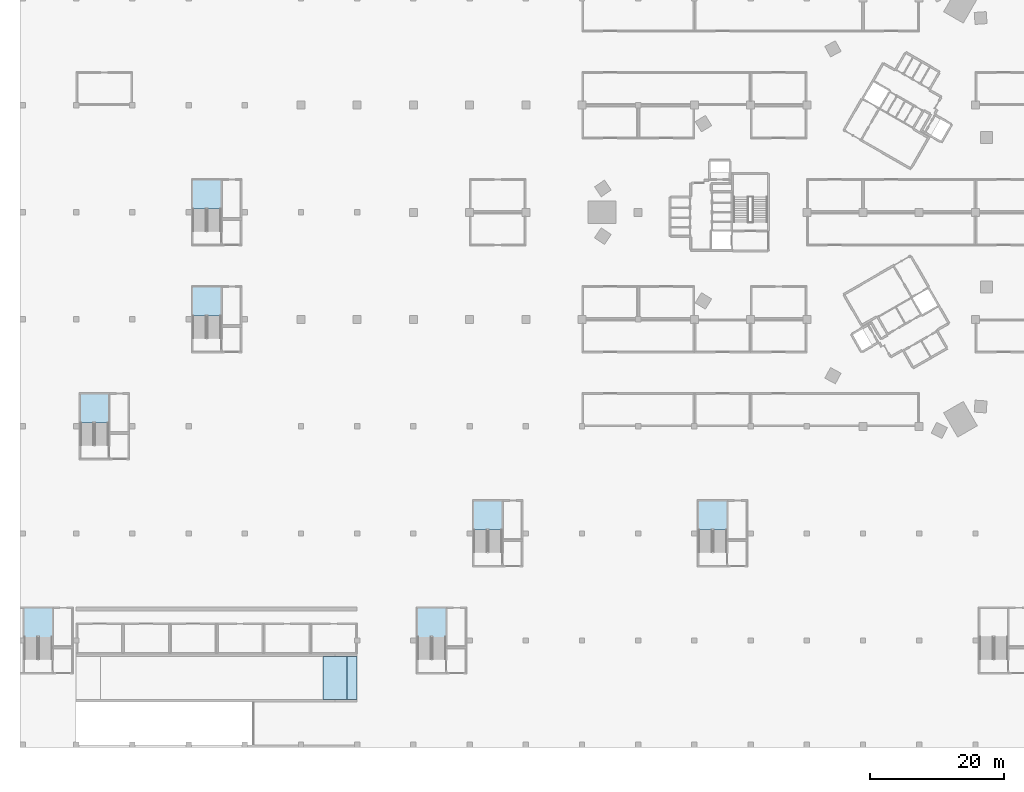
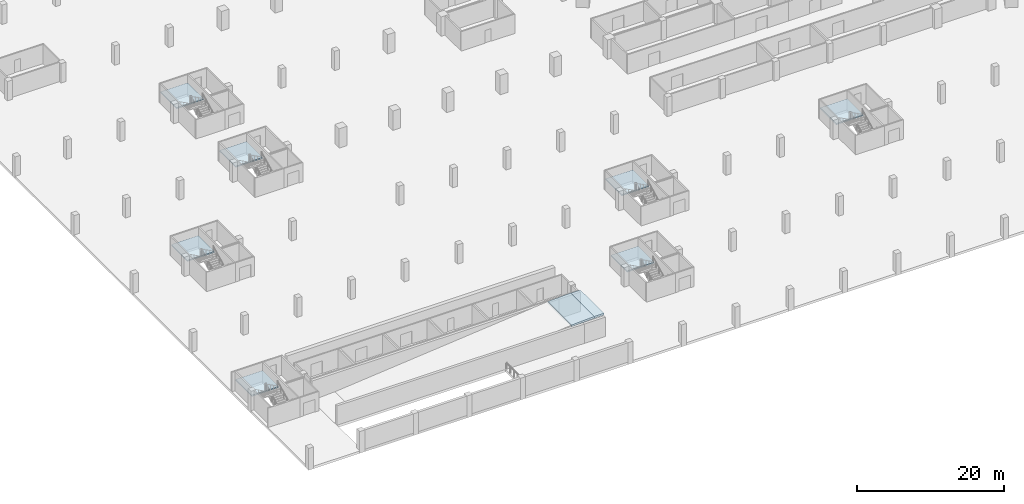
# One storey, part 2 of 37: 9 slabs, 7 elements without a shape of their own.
"""IFC4 building model written with IfcOpenShell, lengths in metres."""

from ifc_helpers import new_model, si_unit, direction, frame, origin, place, context, subcontext, project, spatial, polyline, outline, extrude, material, layer, layer_set, type_object, element, aggregate, save


model = new_model("IFC4")

# Units and contexts
model_context = context("Model", 3, precision=1e-05, world=origin(), true_north=direction((0.0, 1.0)))
body_context = subcontext(model_context, "Body", "Model", "MODEL_VIEW")
ifc_project = project(units=[si_unit("LENGTHUNIT", "METRE"), si_unit("AREAUNIT", "SQUARE_METRE"), si_unit("VOLUMEUNIT", "CUBIC_METRE"), si_unit("PLANEANGLEUNIT", "RADIAN"), si_unit("MASSUNIT", "GRAM", prefix="KILO")], contexts=[model_context])

# Site, building, storey
site_placement = place(None, origin())
site = spatial("IfcSite", under=ifc_project, at=site_placement, CompositionType="ELEMENT")
building_placement = place(site_placement, origin())
building = spatial("IfcBuilding", under=site, at=building_placement, Name="Tamra Quay Hotel Tower", CompositionType="ELEMENT")
storey_placement = place(building_placement, frame((0.0, 0.0, -7.199951171875)))
storey = spatial("IfcBuildingStorey", under=building, at=storey_placement, Name="B2", CompositionType="ELEMENT", Elevation=-7.199951171875)

# Stair, slab
ifc_material_1 = material(Name="Basement exit stair")
stair_type = type_object("IfcStairType", Name="Basement exit stair", PredefinedType="HALF_TURN_STAIR", material=ifc_material_1)
stair_1_placement = place(storey_placement, origin())
stair_1 = element("IfcStair", 1, at=stair_1_placement, inside=storey, type_object=stair_type, Name="B2 Basement Exit Stair BS1", PredefinedType="HALF_TURN_STAIR")
ifc_material_2 = material(Name="Concrete M60", Category="concrete")
ifc_layer_1 = layer(ifc_material_2, 0.199951171875)
ifc_layer_set_1 = layer_set([ifc_layer_1], Name="Concrete M60 basement stair landing 200")
slab_type_1 = type_object("IfcSlabType", Name="Concrete M60 basement stair landing 200", PredefinedType="LANDING", material=ifc_layer_set_1)
slab_1_placement = place(storey_placement, frame((0.0, 0.0, 1.599853515625)))
slab_1 = element("IfcSlab", 2, at=slab_1_placement, type_object=slab_type_1, Name="BS1 landing 1", PredefinedType="LANDING", context=body_context, shape_type="SweptSolid", body=[
    extrude(outline(polyline([(-109.449951171875, -31.52001953125), (-109.449951171875, -27.14990234375), (-113.699951171875, -27.14990234375), (-113.699951171875, -31.52001953125), (-109.449951171875, -31.52001953125)])), origin(), (0.0, 0.0, 1.0), 0.2001953125),
])
aggregate(stair_1, [slab_1])

stair_2_placement = place(storey_placement, origin())
stair_2 = element("IfcStair", 3, at=stair_2_placement, inside=storey, type_object=stair_type, Name="B2 Basement Exit Stair BS3", PredefinedType="HALF_TURN_STAIR")
slab_2_placement = place(storey_placement, frame((0.0, 0.0, 1.599853515625)))
slab_2 = element("IfcSlab", 4, at=slab_2_placement, type_object=slab_type_1, Name="BS3 landing 1", PredefinedType="LANDING", context=body_context, shape_type="SweptSolid", body=[
    extrude(outline(polyline([(-92.64990234375, -15.52001953125), (-92.64990234375, -11.14990234375), (-96.89990234375, -11.14990234375), (-96.89990234375, -15.52001953125), (-92.64990234375, -15.52001953125)])), origin(), (0.0, 0.0, 1.0), 0.2001953125),
])
aggregate(stair_2, [slab_2])

stair_3_placement = place(storey_placement, origin())
stair_3 = element("IfcStair", 5, at=stair_3_placement, inside=storey, type_object=stair_type, Name="B2 Basement Exit Stair BS4", PredefinedType="HALF_TURN_STAIR")
slab_3_placement = place(storey_placement, frame((0.0, 0.0, 1.599853515625)))
slab_3 = element("IfcSlab", 6, at=slab_3_placement, type_object=slab_type_1, Name="BS4 landing 1", PredefinedType="LANDING", context=body_context, shape_type="SweptSolid", body=[
    extrude(outline(polyline([(-92.64990234375, 0.47998046875), (-92.64990234375, 4.85009765625), (-96.89990234375, 4.85009765625), (-96.89990234375, 0.47998046875), (-92.64990234375, 0.47998046875)])), origin(), (0.0, 0.0, 1.0), 0.2001953125),
])
aggregate(stair_3, [slab_3])

stair_4_placement = place(storey_placement, origin())
stair_4 = element("IfcStair", 7, at=stair_4_placement, inside=storey, type_object=stair_type, Name="B2 Basement Exit Stair BS6", PredefinedType="HALF_TURN_STAIR")
slab_4_placement = place(storey_placement, frame((0.0, 0.0, 1.599853515625)))
slab_4 = element("IfcSlab", 8, at=slab_4_placement, type_object=slab_type_1, Name="BS6 landing 1", PredefinedType="LANDING", context=body_context, shape_type="SweptSolid", body=[
    extrude(outline(polyline([(-59.050048828125, -63.52001953125), (-59.050048828125, -59.14990234375), (-63.300048828125, -59.14990234375), (-63.300048828125, -63.52001953125), (-59.050048828125, -63.52001953125)])), origin(), (0.0, 0.0, 1.0), 0.2001953125),
])
aggregate(stair_4, [slab_4])

stair_5_placement = place(storey_placement, origin())
stair_5 = element("IfcStair", 9, at=stair_5_placement, inside=storey, type_object=stair_type, Name="B2 Basement Exit Stair BS8", PredefinedType="HALF_TURN_STAIR")
slab_5_placement = place(storey_placement, frame((0.0, 0.0, 1.599853515625)))
slab_5 = element("IfcSlab", 10, at=slab_5_placement, type_object=slab_type_1, Name="BS8 landing 1", PredefinedType="LANDING", context=body_context, shape_type="SweptSolid", body=[
    extrude(outline(polyline([(-50.64990234375, -47.52001953125), (-50.64990234375, -43.14990234375), (-54.89990234375, -43.14990234375), (-54.89990234375, -47.52001953125), (-50.64990234375, -47.52001953125)])), origin(), (0.0, 0.0, 1.0), 0.2001953125),
])
aggregate(stair_5, [slab_5])

stair_6_placement = place(storey_placement, origin())
stair_6 = element("IfcStair", 11, at=stair_6_placement, inside=storey, type_object=stair_type, Name="B2 Basement Exit Stair BS10", PredefinedType="HALF_TURN_STAIR")
slab_6_placement = place(storey_placement, frame((0.0, 0.0, 1.599853515625)))
slab_6 = element("IfcSlab", 12, at=slab_6_placement, type_object=slab_type_1, Name="BS10 landing 1", PredefinedType="LANDING", context=body_context, shape_type="SweptSolid", body=[
    extrude(outline(polyline([(-17.050048828125, -47.52001953125), (-17.050048828125, -43.14990234375), (-21.300048828125, -43.14990234375), (-21.300048828125, -47.52001953125), (-17.050048828125, -47.52001953125)])), origin(), (0.0, 0.0, 1.0), 0.2001953125),
])
aggregate(stair_6, [slab_6])

stair_7_placement = place(storey_placement, origin())
stair_7 = element("IfcStair", 13, at=stair_7_placement, inside=storey, type_object=stair_type, Name="B2 Basement Exit Stair BS18", PredefinedType="HALF_TURN_STAIR")
slab_7_placement = place(storey_placement, frame((0.0, 0.0, 1.599853515625)))
slab_7 = element("IfcSlab", 14, at=slab_7_placement, type_object=slab_type_1, Name="BS18 landing 1", PredefinedType="LANDING", context=body_context, shape_type="SweptSolid", body=[
    extrude(outline(polyline([(-117.85009765625, -63.52001953125), (-117.85009765625, -59.14990234375), (-122.10009765625, -59.14990234375), (-122.10009765625, -63.52001953125), (-117.85009765625, -63.52001953125)])), origin(), (0.0, 0.0, 1.0), 0.2001953125),
])
aggregate(stair_7, [slab_7])

# Slabs
ifc_layer_2 = layer(ifc_material_2, 0.300048828125)
ifc_layer_set_2 = layer_set([ifc_layer_2], Name="Concrete M60 vehicle ramp slab 300")
slab_type_2 = type_object("IfcSlabType", Name="Concrete M60 vehicle ramp slab 300", PredefinedType="USERDEFINED", material=ifc_layer_set_2)
slab_8_placement = place(storey_placement, frame((0.0, 0.0, 3.300048828125)))
element("IfcSlab", 15, at=slab_8_placement, inside=storey, type_object=slab_type_2, Name="Vehicle ramp B slab 1", ObjectType="VEHICLE RAMP SLAB", PredefinedType="USERDEFINED", context=body_context, shape_type="SweptSolid", body=[
    extrude(outline(polyline([(-72.300048828125, -72.799560546875), (-73.800048828125, -72.799560546875), (-73.800048828125, -66.400390625), (-72.300048828125, -66.400390625), (-72.300048828125, -72.799560546875)])), origin(), (0.0, 0.0, 1.0), 0.2998046875),
])
slab_9_placement = place(storey_placement, frame((-73.800048828125, -72.820068359375, 3.599853515625), z_axis=(-0.04870442294, 0.0, 0.998813235388), x_axis=(-0.998813235388, 0.0, -0.04870442294)))
element("IfcSlab", 16, at=slab_9_placement, inside=storey, type_object=slab_type_2, Name="Vehicle ramp B slab 2", ObjectType="VEHICLE RAMP SLAB", PredefinedType="USERDEFINED", context=body_context, shape_type="SweptSolid", body=[
    extrude(outline(polyline([(0.0, 0.0), (3.6041307704806442, 0.0), (3.6041307704806442, -6.440185546875), (0.0, -6.440185546875), (0.0, 0.0)])), origin(), (0.0, 0.0, -1.0), 0.300048828125),
])

save(model, "model.ifc")
